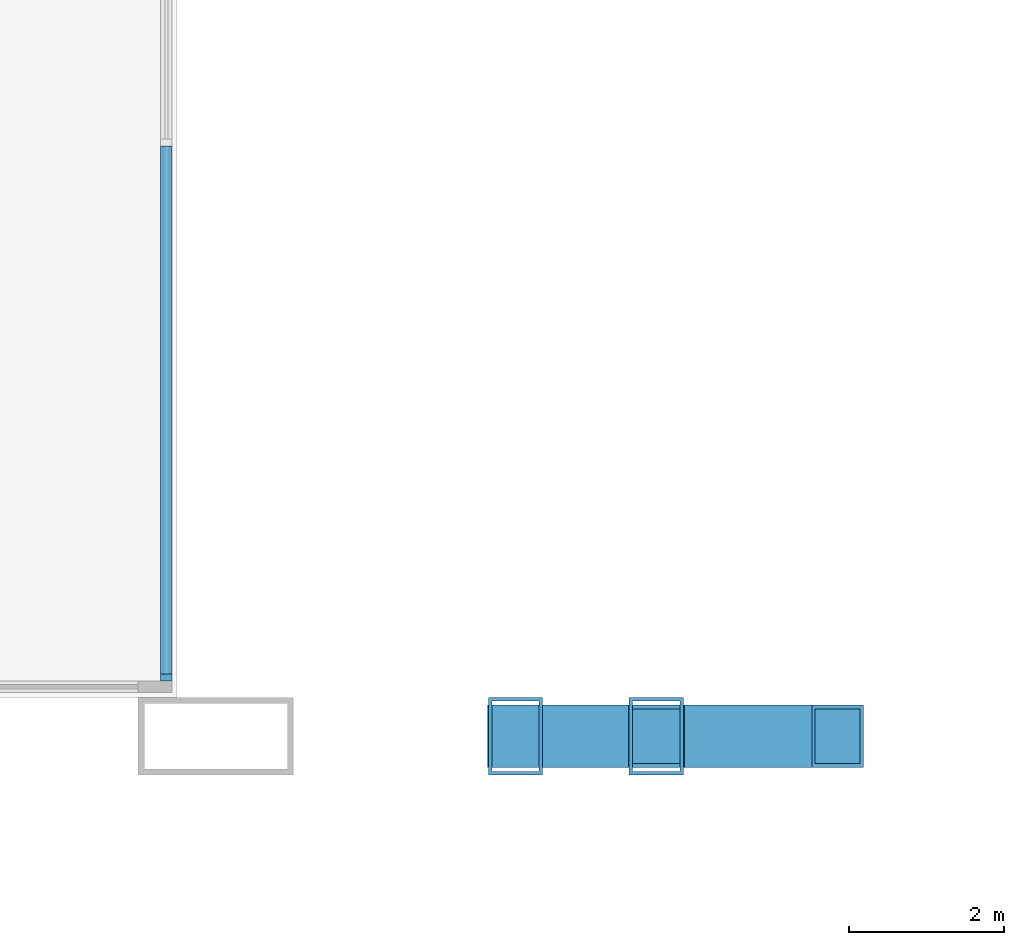
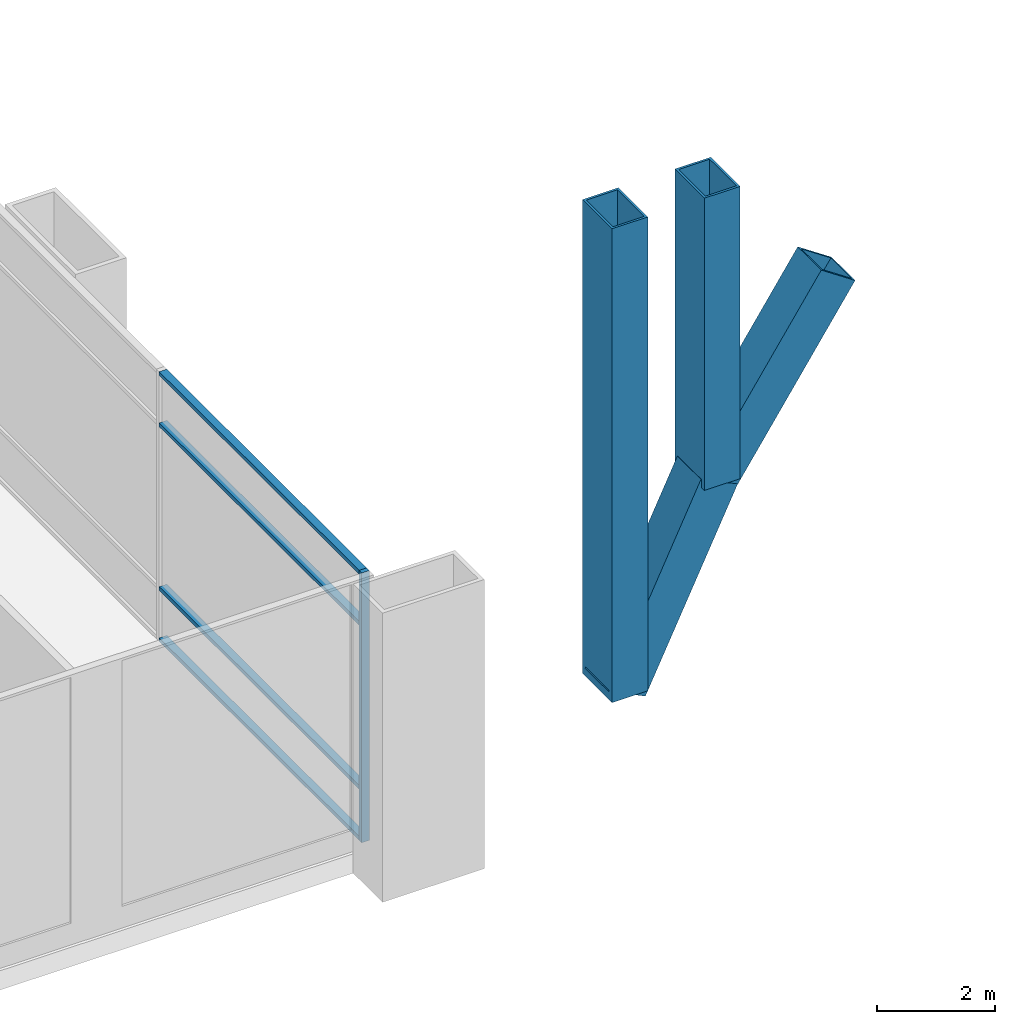
# One storey, part 7 of 25: 9 members, 1 element without a shape of its own.
"""IFC4 building model written with IfcOpenShell, lengths in metres."""

from ifc_helpers import new_model, si_unit, direction, frame, origin, origin_2d, place, context, subcontext, project, spatial, rectangle, hollow_rectangle, extrude, material, material_profile, profile_set, type_object, element, aggregate, save


model = new_model("IFC4")

# Units and contexts
model_context = context("Model", 3, precision=1e-05, world=origin(), true_north=direction((0.0, 1.0)))
body_context = subcontext(model_context, "Body", "Model", "MODEL_VIEW")
ifc_project = project(units=[si_unit("LENGTHUNIT", "METRE"), si_unit("AREAUNIT", "SQUARE_METRE"), si_unit("VOLUMEUNIT", "CUBIC_METRE"), si_unit("PLANEANGLEUNIT", "RADIAN"), si_unit("MASSUNIT", "GRAM", prefix="KILO")], contexts=[model_context])

# Site, building, storey
site_placement = place(None, origin())
site = spatial("IfcSite", under=ifc_project, at=site_placement, CompositionType="ELEMENT")
building_placement = place(site_placement, origin())
building = spatial("IfcBuilding", under=site, at=building_placement, Name="Kitamizu Gate Tower and Museum", CompositionType="ELEMENT")
storey_placement = place(building_placement, frame((0.0, 0.0, 12.0)))
storey = spatial("IfcBuildingStorey", under=building, at=storey_placement, Name="L02", CompositionType="ELEMENT", Elevation=12.0)

# Members
ifc_material_1 = material(Name="Steel SM490A bronze coated", Category="steel")
ifc_material_profile_1 = material_profile(ifc_material_1, hollow_rectangle(XDim=0.800048828125, YDim=0.800048828125, WallThickness=0.050048828125, at=origin_2d()), Name="BOX 800x800x50")
ifc_profile_set_1 = profile_set([ifc_material_profile_1], Name="Steel SM490A bronze coated")
member_type_1 = type_object("IfcMemberType", Name="Arch rib AR1 BOX 800x800x50", PredefinedType="USERDEFINED", material=ifc_profile_set_1)
member_1_placement = place(storey_placement, frame((27.85595703125, 0.0, 2.165771484375), z_axis=(0.433123898235, 0.0, 0.901334393429), x_axis=(0.0, 1.0, 0.0)))
element("IfcMember", 1, at=member_1_placement, inside=storey, type_object=member_type_1, Name="Arch rib SW-3", ObjectType="ARCH RIB", PredefinedType="USERDEFINED", context=body_context, shape_type="SweptSolid", body=[
    extrude(hollow_rectangle(XDim=0.800048828125, YDim=0.800048828125, WallThickness=0.050048828125, at=origin_2d()), origin(), (0.0, 0.0, 1.0), 4.181884765625),
])
member_2_placement = place(storey_placement, frame((29.667236328125, 0.0, 5.93505859375), z_axis=(0.558484664195, 0.0, 0.829514846075), x_axis=(0.0, 1.0, 0.0)))
element("IfcMember", 2, at=member_2_placement, inside=storey, type_object=member_type_1, Name="Arch rib SW-4", ObjectType="ARCH RIB", PredefinedType="USERDEFINED", context=body_context, shape_type="SweptSolid", body=[
    extrude(hollow_rectangle(XDim=0.800048828125, YDim=0.800048828125, WallThickness=0.050048828125, at=origin_2d()), origin(), (0.0, 0.0, 1.0), 4.177001953125),
])
ifc_material_2 = material(Name="Steel SM490A bronze coated", Category="steel")
ifc_material_profile_2 = material_profile(ifc_material_2, hollow_rectangle(XDim=0.699951171875, YDim=1.0, WallThickness=0.044921875, at=origin_2d()), Name="BOX 700x1000x45")
ifc_profile_set_2 = profile_set([ifc_material_profile_2], Name="Steel SM490A bronze coated")
member_type_2 = type_object("IfcMemberType", Name="Arch rib tie post AP2 BOX 700x1000x45", PredefinedType="USERDEFINED", material=ifc_profile_set_2)
member_3_placement = place(storey_placement, frame((27.85595703125, 0.0, 2.165771484375), z_axis=(0.0, 0.0, 1.0), x_axis=(1.0, 0.0, 0.0)))
element("IfcMember", 3, at=member_3_placement, inside=storey, type_object=member_type_2, Name="Arch rib tie post SW-2", ObjectType="ARCH POST", PredefinedType="USERDEFINED", context=body_context, shape_type="SweptSolid", body=[
    extrude(hollow_rectangle(XDim=0.699951171875, YDim=1.0, WallThickness=0.044921875, at=origin_2d()), origin(), (0.0, 0.0, 1.0), 9.834228515625),
])
member_4_placement = place(storey_placement, frame((29.667236328125, 0.0, 5.93505859375), z_axis=(0.0, 0.0, 1.0), x_axis=(1.0, 0.0, 0.0)))
element("IfcMember", 4, at=member_4_placement, inside=storey, type_object=member_type_2, Name="Arch rib tie post SW-3", ObjectType="ARCH POST", PredefinedType="USERDEFINED", context=body_context, shape_type="SweptSolid", body=[
    extrude(hollow_rectangle(XDim=0.699951171875, YDim=1.0, WallThickness=0.044921875, at=origin_2d()), origin(), (0.0, 0.0, 1.0), 6.06494140625),
])

# Curtain wall, members
ifc_material_3 = material(Name="Bronze anodised aluminium frame, tinted triple glazing", Category="aluminium")
curtain_wall_type = type_object("IfcCurtainWallType", Name="CURTAIN WALL TYPE A PODIUM", PredefinedType="NOTDEFINED", material=ifc_material_3)
curtain_wall_placement = place(storey_placement, origin())
curtain_wall = element("IfcCurtainWall", 5, at=curtain_wall_placement, inside=storey, type_object=curtain_wall_type, Name="Curtain wall CW-A east L02", PredefinedType="NOTDEFINED")
ifc_material_4 = material(Name="Bronze anodised aluminium", Category="aluminium")
ifc_material_profile_3 = material_profile(ifc_material_4, rectangle(XDim=0.090087890625, YDim=0.14990234375, at=origin_2d()), Name="AL 90X150")
ifc_profile_set_3 = profile_set([ifc_material_profile_3], Name="Bronze anodised aluminium")
member_type_3 = type_object("IfcMemberType", Name="MULLION 90 X 150 TYPE A", PredefinedType="MULLION", material=ifc_profile_set_3)
member_5_placement = place(storey_placement, frame((23.364990234375, 0.7548828125, 0.0), z_axis=(0.0, 0.0, 1.0), x_axis=(0.0, 1.0, 0.0)))
member_5 = element("IfcMember", 6, at=member_5_placement, type_object=member_type_3, Name="CW-A mullion 1", PredefinedType="MULLION", context=body_context, shape_type="SweptSolid", body=[
    extrude(rectangle(XDim=0.090087890625, YDim=0.14990234375, at=origin_2d()), origin(), (0.0, 0.0, 1.0), 5.60009765625),
])
ifc_material_5 = material(Name="Bronze anodised aluminium", Category="aluminium")
ifc_material_profile_4 = material_profile(ifc_material_5, rectangle(XDim=0.14990234375, YDim=0.080078125, at=origin_2d()), Name="AL 80X150")
ifc_profile_set_4 = profile_set([ifc_material_profile_4], Name="Bronze anodised aluminium")
member_type_4 = type_object("IfcMemberType", Name="TRANSOM 80 X 150 TYPE A", PredefinedType="USERDEFINED", material=ifc_profile_set_4)
member_6_placement = place(storey_placement, frame((23.364990234375, 0.800048828125, 0.0400390625), z_axis=(0.0, 1.0, 0.0), x_axis=(-1.0, 0.0, 0.0)))
member_6 = element("IfcMember", 7, at=member_6_placement, type_object=member_type_4, Name="CW-A transom 1.1", ObjectType="TRANSOM", PredefinedType="USERDEFINED", context=body_context, shape_type="SweptSolid", body=[
    extrude(rectangle(XDim=0.14990234375, YDim=0.080078125, at=origin_2d()), origin(), (0.0, 0.0, 1.0), 6.794921875),
])
member_7_placement = place(storey_placement, frame((23.364990234375, 0.800048828125, 1.10009765625), z_axis=(0.0, 1.0, 0.0), x_axis=(-1.0, 0.0, 0.0)))
member_7 = element("IfcMember", 8, at=member_7_placement, type_object=member_type_4, Name="CW-A transom 1.2", ObjectType="TRANSOM", PredefinedType="USERDEFINED", context=body_context, shape_type="SweptSolid", body=[
    extrude(rectangle(XDim=0.14990234375, YDim=0.080078125, at=origin_2d()), origin(), (0.0, 0.0, 1.0), 6.794921875),
])
member_8_placement = place(storey_placement, frame((23.364990234375, 0.800048828125, 4.5), z_axis=(0.0, 1.0, 0.0), x_axis=(-1.0, 0.0, 0.0)))
member_8 = element("IfcMember", 9, at=member_8_placement, type_object=member_type_4, Name="CW-A transom 1.3", ObjectType="TRANSOM", PredefinedType="USERDEFINED", context=body_context, shape_type="SweptSolid", body=[
    extrude(rectangle(XDim=0.14990234375, YDim=0.080078125, at=origin_2d()), origin(), (0.0, 0.0, 1.0), 6.794921875),
])
member_9_placement = place(storey_placement, frame((23.364990234375, 0.800048828125, 5.56005859375), z_axis=(0.0, 1.0, 0.0), x_axis=(-1.0, 0.0, 0.0)))
member_9 = element("IfcMember", 10, at=member_9_placement, type_object=member_type_4, Name="CW-A transom 1.4", ObjectType="TRANSOM", PredefinedType="USERDEFINED", context=body_context, shape_type="SweptSolid", body=[
    extrude(rectangle(XDim=0.14990234375, YDim=0.080078125, at=origin_2d()), origin(), (0.0, 0.0, 1.0), 6.794921875),
])
aggregate(curtain_wall, [member_5, member_6, member_7, member_8, member_9])

save(model, "model.ifc")
